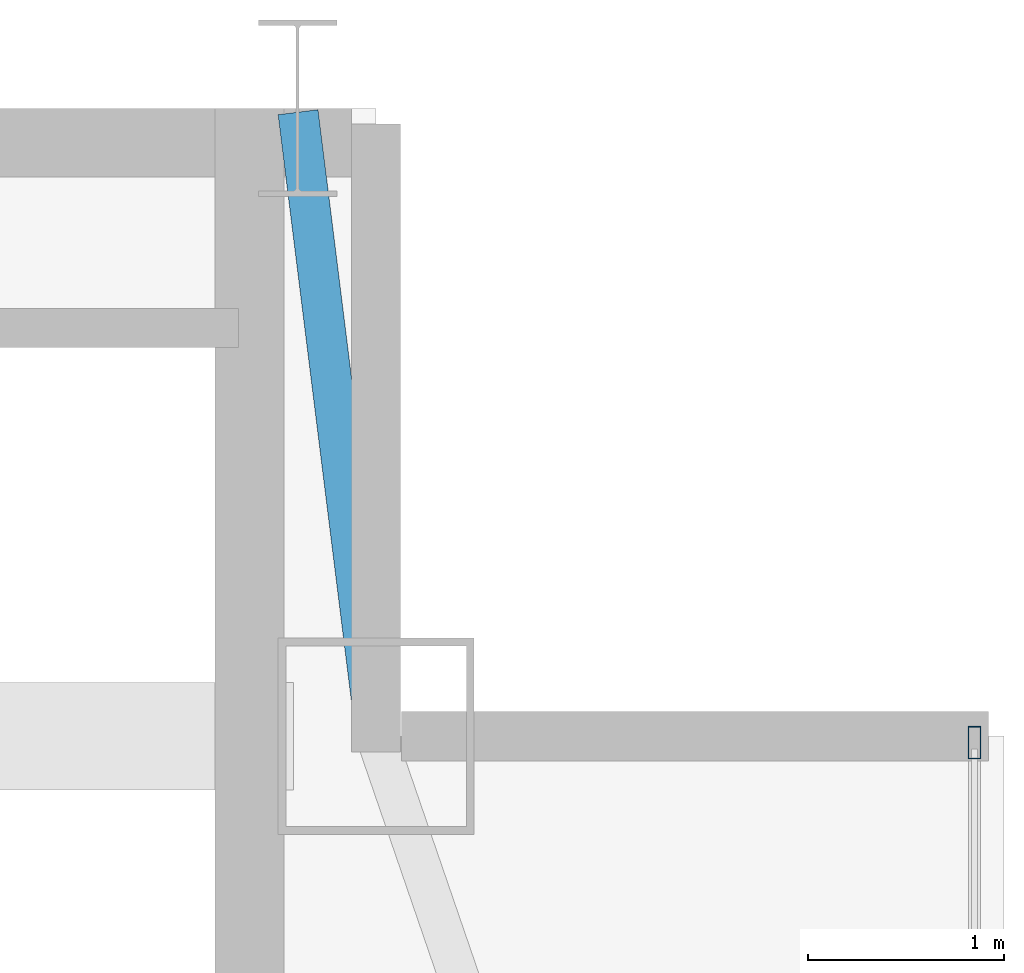
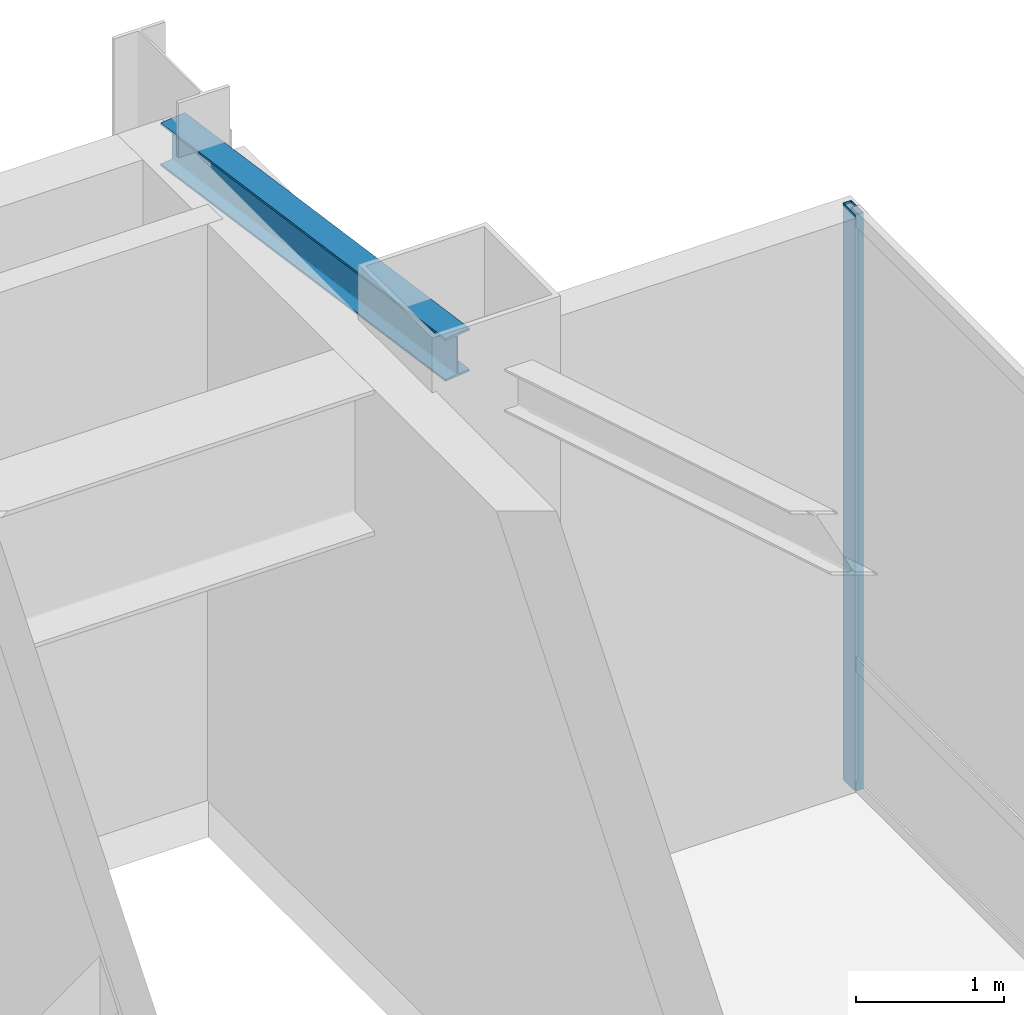
# One storey, part 17 of 20: 1 beam, 1 member, 1 element without a shape of its own.
"""IFC4 building model written with IfcOpenShell, lengths in metres."""

import ifcopenshell
import ifcopenshell.guid

model = None  # the IFC model being written
_history = None  # IfcOwnerHistory: only IFC2X3 demands one
_inside = {}  # id of a spatial element -> (the spatial element, [elements in it])
_under = {}  # id of a project, library or spatial element -> (it, [spatial elements below it])
_declared = {}  # id of a project -> (the project, [libraries it declares])
_typed = {}  # id of a type object -> (the type object, [elements of that type])
_made_of = {}  # id of a material, layer set ... -> (it, [elements and type objects made of it])


def new_model(schema):
    """Start an empty IFC model of exactly this schema.

    Asked for "IFC4X3", IfcOpenShell would pick the latest addendum, in which some entities
    have other attributes; the version numbers below select the first issue.
    IFC2X3 requires an IfcOwnerHistory on every rooted entity: one is made here for all.
    """
    global model, _history
    if schema == "IFC4X3":
        model = ifcopenshell.file(schema_version=(4, 3, 0, 0))
    else:
        model = ifcopenshell.file(schema=schema)
    _inside.clear()
    _under.clear()
    _declared.clear()
    _typed.clear()
    _made_of.clear()
    _history = None
    if model.schema == "IFC2X3":
        org = make("IfcOrganization", Name="unknown")
        user = make(
            "IfcPersonAndOrganization",
            ThePerson=make("IfcPerson", FamilyName="unknown"),
            TheOrganization=org,
        )
        app = make(
            "IfcApplication",
            ApplicationDeveloper=org,
            Version="unknown",
            ApplicationFullName="unknown",
            ApplicationIdentifier="unknown",
        )
        _history = make(
            "IfcOwnerHistory",
            OwningUser=user,
            OwningApplication=app,
            ChangeAction="ADDED",
            CreationDate=0,
        )
    return model


def make(cls, **values):
    """One entity of the class cls with the attributes given. An attribute that is None is left unset."""
    return model.create_entity(
        cls, **{name: value for name, value in values.items() if value is not None}
    )


def rooted(cls, **values):
    """An entity with a GlobalId (a new one), such as an element, a storey or a relation."""
    return make(cls, GlobalId=ifcopenshell.guid.new(), OwnerHistory=_history, **values)


def si_unit(unit_type, name, prefix=None):
    """IfcSIUnit, for example si_unit("LENGTHUNIT", "METRE", prefix="MILLI")."""
    return make("IfcSIUnit", UnitType=unit_type, Prefix=prefix, Name=name)


def assignment(units):
    """IfcUnitAssignment: the units of a project."""
    return None if units is None else make("IfcUnitAssignment", Units=units)


def point(xyz):
    """IfcCartesianPoint."""
    return None if xyz is None else make("IfcCartesianPoint", Coordinates=xyz)


def direction(xyz):
    """IfcDirection."""
    return None if xyz is None else make("IfcDirection", DirectionRatios=xyz)


def frame(location, z_axis=None, x_axis=None):
    """IfcAxis2Placement3D, a coordinate frame: its origin and axes. An axis left out is left unset."""
    return make(
        "IfcAxis2Placement3D",
        Location=point(location),
        Axis=direction(z_axis),
        RefDirection=direction(x_axis),
    )


def frame_2d(location, x_axis=None):
    """IfcAxis2Placement2D, a coordinate frame in the plane: its origin and x axis."""
    return make(
        "IfcAxis2Placement2D", Location=point(location), RefDirection=direction(x_axis)
    )


def origin():
    """The frame at (0, 0, 0) with its axes left unset."""
    return frame((0.0, 0.0, 0.0))


def origin_2d():
    """The frame at (0, 0) in the plane with its x axis left unset."""
    return frame_2d((0.0, 0.0))


def place(relative_to, where):
    """IfcLocalPlacement: puts the frame where relative to a parent placement (None: the world)."""
    return make(
        "IfcLocalPlacement", PlacementRelTo=relative_to, RelativePlacement=where
    )


def context(
    kind, dimensions, precision=None, world=None, true_north=None, identifier=None
):
    """IfcGeometricRepresentationContext, for example the 3D "Model" context."""
    return make(
        "IfcGeometricRepresentationContext",
        ContextIdentifier=identifier,
        ContextType=kind,
        CoordinateSpaceDimension=dimensions,
        Precision=precision,
        WorldCoordinateSystem=world,
        TrueNorth=true_north,
    )


def subcontext(parent, identifier, kind, view, scale=None):
    """IfcGeometricRepresentationSubContext, for example "Body" below "Model"."""
    return make(
        "IfcGeometricRepresentationSubContext",
        ContextIdentifier=identifier,
        ContextType=kind,
        ParentContext=parent,
        TargetScale=scale,
        TargetView=view,
    )


def project(units=None, contexts=None):
    """IfcProject with its units and contexts."""
    return rooted(
        "IfcProject",
        Name="project",
        RepresentationContexts=contexts,
        UnitsInContext=assignment(units),
    )


def spatial(cls, under=None, at=None, **own):
    """A site, building, storey or space (cls), placed at a placement, below another one or the project."""
    s = rooted(cls, ObjectPlacement=at, **own)
    if under is not None:
        _under.setdefault(under.id(), (under, []))[1].append(s)
    return s


def profile(cls, at=None, kind="AREA", **sizes):
    """A parametric profile (cls). Its sizes go by their IFC names, for example OverallWidth=200.0."""
    return make(cls, ProfileType=kind, Position=at, **sizes)


def hollow_rectangle(**sizes):
    """IfcRectangleHollowProfileDef."""
    return profile("IfcRectangleHollowProfileDef", **sizes)


def i_section(**sizes):
    """IfcIShapeProfileDef."""
    return profile("IfcIShapeProfileDef", **sizes)


def extrude(swept, where, along, depth):
    """IfcExtrudedAreaSolid: the profile swept, set in the frame where, extruded along a direction by depth."""
    return make(
        "IfcExtrudedAreaSolid",
        SweptArea=swept,
        Position=where,
        ExtrudedDirection=direction(along),
        Depth=depth,
    )


def shape(context_of_items, identifier, shape_type, items):
    """IfcShapeRepresentation: the items that make up one representation, for example the "Body"."""
    return make(
        "IfcShapeRepresentation",
        ContextOfItems=context_of_items,
        RepresentationIdentifier=identifier,
        RepresentationType=shape_type,
        Items=items,
    )


def source(mapping_origin, context_of_items, identifier, shape_type, items):
    """IfcRepresentationMap: a shape defined once, which mapped items show again and again."""
    return make(
        "IfcRepresentationMap",
        MappingOrigin=mapping_origin,
        MappedRepresentation=shape(context_of_items, identifier, shape_type, items),
    )


def transform(
    local_origin,
    x_axis=None,
    y_axis=None,
    z_axis=None,
    scale=None,
    scale2=None,
    scale3=None,
    uniform=True,
):
    """IfcCartesianTransformationOperator3D, or its non-uniform kind. x_axis, y_axis, z_axis: its Axis1, 2, 3."""
    if uniform:
        return make(
            "IfcCartesianTransformationOperator3D",
            Axis1=direction(x_axis),
            Axis2=direction(y_axis),
            LocalOrigin=point(local_origin),
            Scale=scale,
            Axis3=direction(z_axis),
        )
    return make(
        "IfcCartesianTransformationOperator3DnonUniform",
        Axis1=direction(x_axis),
        Axis2=direction(y_axis),
        LocalOrigin=point(local_origin),
        Scale=scale,
        Axis3=direction(z_axis),
        Scale2=scale2,
        Scale3=scale3,
    )


def mapped(mapping_source, mapping_target):
    """IfcMappedItem: shows the shape of a source again, moved by a transform."""
    return make(
        "IfcMappedItem", MappingSource=mapping_source, MappingTarget=mapping_target
    )


def material(Name=None, Category=None):
    """IfcMaterial."""
    return make("IfcMaterial", Name=Name, Category=Category)


def layer(
    of_material, thickness, ventilated=None, Name=None, Category=None, Priority=None
):
    """IfcMaterialLayer: one layer of a wall or slab, of a material (None: an air gap)."""
    return make(
        "IfcMaterialLayer",
        Material=of_material,
        LayerThickness=thickness,
        IsVentilated=ventilated,
        Name=Name,
        Category=Category,
        Priority=Priority,
    )


def layer_set(layers, Name=None):
    """IfcMaterialLayerSet."""
    return make("IfcMaterialLayerSet", MaterialLayers=layers, LayerSetName=Name)


def material_profile(
    of_material, cross_section, Name=None, Category=None, Priority=None
):
    """IfcMaterialProfile: a cross section and its material."""
    return make(
        "IfcMaterialProfile",
        Name=Name,
        Material=of_material,
        Profile=cross_section,
        Priority=Priority,
        Category=Category,
    )


def profile_set(profiles, Name=None, composite=None):
    """IfcMaterialProfileSet."""
    return make(
        "IfcMaterialProfileSet",
        Name=Name,
        MaterialProfiles=profiles,
        CompositeProfile=composite,
    )


def made_of(thing, what):
    """Note that an element or type object is made of a material, layer set ...; save() writes the relation."""
    if what is not None:
        _made_of.setdefault(what.id(), (what, []))[1].append(thing)
    return thing


def type_object(cls, material=None, **own):
    """A type object (cls), such as IfcWallType, which elements share."""
    return made_of(rooted(cls, **own), material)


def type_shapes(of_type, sources):
    """Give a type object the sources (RepresentationMaps) that its elements show as mapped items."""
    of_type.RepresentationMaps = sources


def element(
    cls,
    number,
    at=None,
    inside=None,
    cuts=None,
    type_object=None,
    material=None,
    context=None,
    identifier="Body",
    shape_type=None,
    held_by="IfcProductDefinitionShape",
    body=None,
    shapes=None,
    **own,
):
    """One element of the class cls, such as IfcWall. Its Tag is "e" and its number.

    at: its placement. inside: the storey or other place that contains it. cuts: it is an
    opening in that element (IfcRelVoidsElement). A single representation is given by context,
    identifier, shape_type and body (its items); several are given by shapes. held_by: the class
    of the entity that holds the representations. save() writes the other relations.
    """
    e = rooted(cls, Tag="e%d" % number, ObjectPlacement=at, **own)
    if body is not None:
        shapes = [shape(context, identifier, shape_type, body)]
    if shapes is not None:
        e.Representation = make(held_by, Representations=shapes)
    if inside is not None:
        _inside.setdefault(inside.id(), (inside, []))[1].append(e)
    if cuts is not None:
        rooted(
            "IfcRelVoidsElement", RelatingBuildingElement=cuts, RelatedOpeningElement=e
        )
    if type_object is not None:
        _typed.setdefault(type_object.id(), (type_object, []))[1].append(e)
    return made_of(e, material)


def aggregate(whole, parts):
    """IfcRelAggregates: a whole, such as a stair, and the parts it consists of."""
    return rooted("IfcRelAggregates", RelatingObject=whole, RelatedObjects=parts)


def save(model, path):
    """Write the relations noted so far, then the file.

    IfcRelAggregates (storeys below a building ...), IfcRelContainedInSpatialStructure (elements
    in a storey), IfcRelDefinesByType, IfcRelAssociatesMaterial and IfcRelDeclares: one each for
    every whole, place, type object, material and project.
    """
    for whole, parts in _under.values():
        aggregate(whole, parts)
    for where, things in _inside.values():
        rooted(
            "IfcRelContainedInSpatialStructure",
            RelatedElements=things,
            RelatingStructure=where,
        )
    for kind, things in _typed.values():
        rooted("IfcRelDefinesByType", RelatedObjects=things, RelatingType=kind)
    for what, things in _made_of.values():
        rooted("IfcRelAssociatesMaterial", RelatedObjects=things, RelatingMaterial=what)
    for by, libraries in _declared.values():
        rooted("IfcRelDeclares", RelatingContext=by, RelatedDefinitions=libraries)
    model.write(path)


model = new_model("IFC4")

# Units and contexts
model_context = context("Model", 3, precision=1e-05, world=origin(), true_north=direction((0.0, 1.0)))
body_context = subcontext(model_context, "Body", "Model", "MODEL_VIEW")
ifc_project = project(units=[si_unit("LENGTHUNIT", "METRE"), si_unit("AREAUNIT", "SQUARE_METRE"), si_unit("VOLUMEUNIT", "CUBIC_METRE"), si_unit("PLANEANGLEUNIT", "RADIAN"), si_unit("MASSUNIT", "GRAM", prefix="KILO")], contexts=[model_context])

# Site, building, storey
site_placement = place(None, origin())
site = spatial("IfcSite", under=ifc_project, at=site_placement, CompositionType="ELEMENT")
building_placement = place(site_placement, origin())
building = spatial("IfcBuilding", under=site, at=building_placement, Name="Varnel Quay Broadcast Tower", CompositionType="ELEMENT")
storey_placement = place(building_placement, frame((0.0, 0.0, 314.60009765625)))
storey = spatial("IfcBuildingStorey", under=building, at=storey_placement, Name="L78", CompositionType="ELEMENT", Elevation=314.60009765625)

# Beam
ifc_material_1 = material(Name="Structural Steel CSA G40.21 350W", Category="steel")
ifc_material_profile_1 = material_profile(ifc_material_1, i_section(OverallWidth=0.205078125, OverallDepth=0.35400390625, WebThickness=0.009521484375, FlangeThickness=0.016845703125, FilletRadius=0.012939453125, at=origin_2d()), Name="W360X79")
ifc_profile_set_1 = profile_set([ifc_material_profile_1], Name="Structural Steel CSA G40.21 350W")
beam_type = type_object("IfcBeamType", Name="Beam_W360X79", PredefinedType="SPANDREL", material=ifc_profile_set_1)
shared_shape_1 = source(origin(), body_context, "Body", "SweptSolid", [
    extrude(i_section(OverallWidth=0.205078125, OverallDepth=0.35400390625, WebThickness=0.009521484375, FlangeThickness=0.016845703125, FilletRadius=0.012939453125, at=origin_2d()), origin(), (0.0, 0.0, 1.0), 3.18505859375),
])
type_shapes(beam_type, [shared_shape_1])
beam_placement = place(storey_placement, frame((52.402587890625, 46.7802734375, 4.572998046875), z_axis=(0.124025300311, -0.992279055953, 0.0), x_axis=(0.992279055953, 0.124025300311, 0.0)))
element("IfcBeam", 1, at=beam_placement, inside=storey, type_object=beam_type, Name="L78 NE Tie Spandrel", PredefinedType="SPANDREL", context=body_context, shape_type="MappedRepresentation", body=[
    mapped(shared_shape_1, transform((0.0, 0.0, 0.0), x_axis=(1.0, 0.0, 0.0), y_axis=(0.0, 1.0, 0.0), z_axis=(0.0, 0.0, 1.0), scale=1.0)),
])

# Curtain wall, member
ifc_material_2 = material(Name="Anodised Bronze Aluminium 6063-T6", Category="aluminium")
ifc_layer = layer(ifc_material_2, 0.18994140625, Name="Anodised Bronze Aluminium 6063-T6")
ifc_layer_set = layer_set([ifc_layer], Name="Anodised Bronze Aluminium 6063-T6")
curtain_wall_type = type_object("IfcCurtainWallType", Name="CW_UpperTower", PredefinedType="NOTDEFINED", material=ifc_layer_set)
curtain_wall_placement = place(storey_placement, origin())
curtain_wall = element("IfcCurtainWall", 2, at=curtain_wall_placement, inside=storey, type_object=curtain_wall_type, Name="L78 East Unitised Curtain Wall", PredefinedType="NOTDEFINED")
ifc_material_profile_2 = material_profile(ifc_material_2, hollow_rectangle(XDim=0.06494140625, YDim=0.1650390625, WallThickness=0.00341796875, at=origin_2d()), Name="ALU65X165X3.5")
ifc_profile_set_2 = profile_set([ifc_material_profile_2], Name="Anodised Bronze Aluminium 6063-T6")
member_type = type_object("IfcMemberType", Name="Mull_CWS-03", PredefinedType="MULLION", material=ifc_profile_set_2)
shared_shape_2 = source(origin(), body_context, "Body", "SweptSolid", [
    extrude(hollow_rectangle(XDim=0.06494140625, YDim=0.1650390625, WallThickness=0.00341796875, at=origin_2d()), origin(), (0.0, 0.0, 1.0), 4.75),
])
type_shapes(member_type, [shared_shape_2])
member_placement = place(storey_placement, frame((55.85009765625, 43.5673828125, 0.0), z_axis=(0.0, 0.0, 1.0), x_axis=(-1.0, 0.0, 0.0)))
member = element("IfcMember", 3, at=member_placement, type_object=member_type, Name="CWS-03 mullion 3", PredefinedType="MULLION", context=body_context, shape_type="MappedRepresentation", body=[
    mapped(shared_shape_2, transform((0.0, 0.0, 0.0), x_axis=(1.0, 0.0, 0.0), y_axis=(0.0, 1.0, 0.0), z_axis=(0.0, 0.0, 1.0), scale=1.0)),
])
aggregate(curtain_wall, [member])

save(model, "model.ifc")
